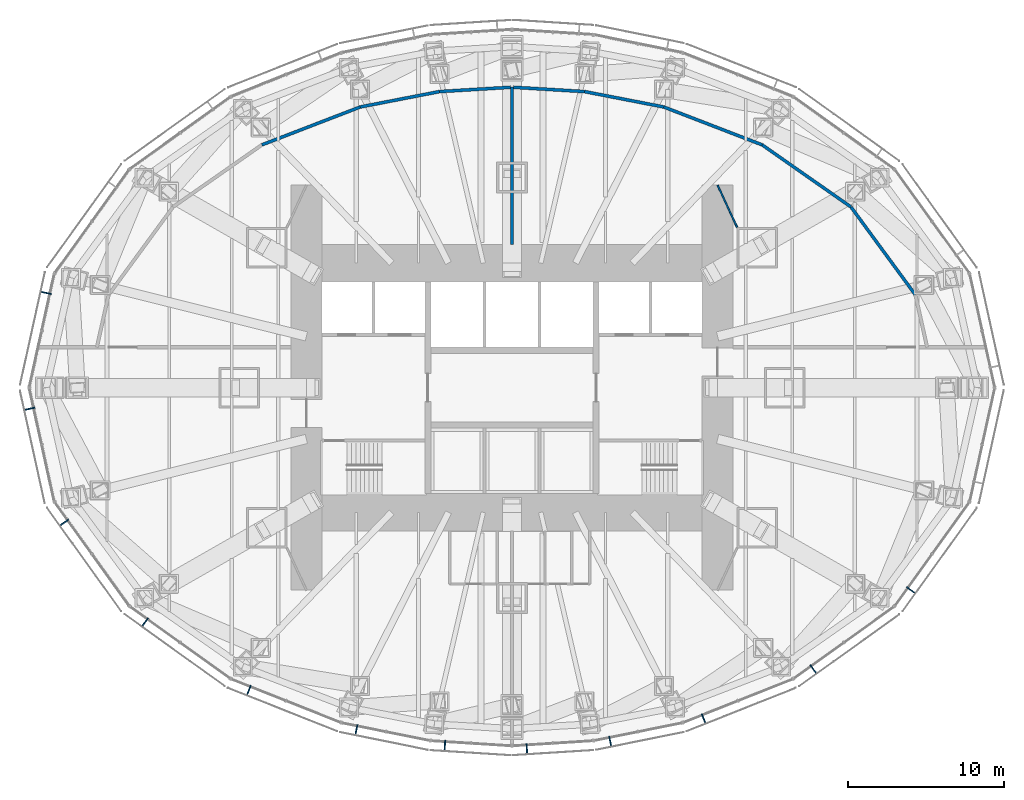
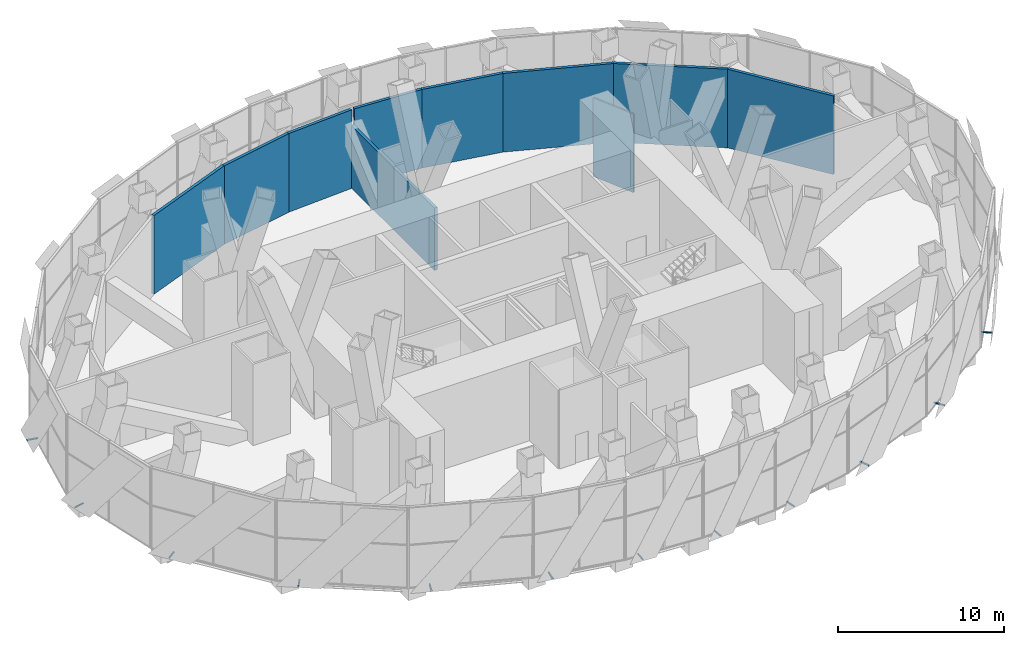
# One storey, part 16 of 21: 12 discrete accessories, 10 walls.
"""IFC4 building model written with IfcOpenShell, lengths in metres."""

from ifc_helpers import new_model, si_unit, direction, frame, frame_2d, origin, origin_2d, place, context, subcontext, project, spatial, rectangle, extrude, material, layer, layer_set, type_object, element, save


model = new_model("IFC4")

# Units and contexts
model_context = context("Model", 3, precision=1e-05, world=origin(), true_north=direction((0.0, 1.0)))
body_context = subcontext(model_context, "Body", "Model", "MODEL_VIEW")
ifc_project = project(units=[si_unit("LENGTHUNIT", "METRE"), si_unit("AREAUNIT", "SQUARE_METRE"), si_unit("VOLUMEUNIT", "CUBIC_METRE"), si_unit("PLANEANGLEUNIT", "RADIAN"), si_unit("MASSUNIT", "GRAM", prefix="KILO")], contexts=[model_context])

# Site, building, storey
site_placement = place(None, origin())
site = spatial("IfcSite", under=ifc_project, at=site_placement, CompositionType="ELEMENT")
building_placement = place(site_placement, origin())
building = spatial("IfcBuilding", under=site, at=building_placement, Name="Lantaw Convention Tower", CompositionType="ELEMENT")
storey_placement = place(building_placement, frame((0.0, 0.0, 105.39990234375)))
storey = spatial("IfcBuildingStorey", under=building, at=storey_placement, Name="L25", CompositionType="ELEMENT", Elevation=105.39990234375)

# Walls
ifc_material_1 = material(Name="Concrete blockwork, fire rated", Category="masonry")
ifc_layer_1 = layer(ifc_material_1, 0.199951171875)
ifc_layer_set_1 = layer_set([ifc_layer_1], Name="Fire wall 200 EI 120")
wall_type_1 = type_object("IfcWallType", Name="Fire wall 200 EI 120", PredefinedType="SOLIDWALL", material=ifc_layer_set_1)
wall_1_placement = place(storey_placement, frame((0.0, 9.199951171875, 0.0), z_axis=(0.0, 0.0, 1.0), x_axis=(0.0, 1.0, 0.0)))
element("IfcWall", 1, at=wall_1_placement, inside=storey, type_object=wall_type_1, Name="Fire wall 200", PredefinedType="SOLIDWALL", context=body_context, shape_type="SweptSolid", body=[
    extrude(rectangle(XDim=10.09375, YDim=0.199951171875, at=frame_2d((5.046875, 0.0))), origin(), (0.0, 0.0, 1.0), 4.60009765625),
])
ifc_material_2 = material(Name="Gypsum board on steel studs, acoustic", Category="steel")
ifc_layer_2 = layer(ifc_material_2, 0.10009765625)
ifc_layer_set_2 = layer_set([ifc_layer_2], Name="Office partition 100")
wall_type_2 = type_object("IfcWallType", Name="Office partition 100", PredefinedType="PARTITIONING", material=ifc_layer_set_2)
wall_2_placement = place(storey_placement, frame((13.199951171875, 13.0, 0.0), z_axis=(0.0, 0.0, 1.0), x_axis=(0.420129824888, -0.907464010437, 0.0)))
element("IfcWall", 2, at=wall_2_placement, inside=storey, type_object=wall_type_2, Name="Office partition 100", PredefinedType="PARTITIONING", context=body_context, shape_type="SweptSolid", body=[
    extrude(rectangle(XDim=2.975341796875, YDim=0.10009765625, at=frame_2d((1.48779296875, 0.0))), origin(), (0.0, 0.0, 1.0), 5.800048828125),
])
ifc_layer_3 = layer(ifc_material_1, 0.199951171875)
ifc_layer_set_3 = layer_set([ifc_layer_3], Name="Plant room wall 200 EI 120")
wall_type_3 = type_object("IfcWallType", Name="Plant room wall 200 EI 120", PredefinedType="SOLIDWALL", material=ifc_layer_set_3)
wall_3_placement = place(storey_placement, frame((-16.06005859375, 15.591064453125, 0.0), z_axis=(0.0, 0.0, 1.0), x_axis=(0.933206127204, 0.359341514648, 0.0)))
element("IfcWall", 3, at=wall_3_placement, inside=storey, type_object=wall_type_3, Name="Plant room wall 200", PredefinedType="SOLIDWALL", context=body_context, shape_type="SweptSolid", body=[
    extrude(rectangle(XDim=6.770263671875, YDim=0.199951171875, at=frame_2d((3.38525390625, 0.0))), origin(), (0.0, 0.0, 1.0), 5.800048828125),
])
wall_4_placement = place(storey_placement, frame((-9.741943359375, 18.02392578125, 0.0), z_axis=(0.0, 0.0, 1.0), x_axis=(0.981651682281, 0.190682916578, 0.0)))
element("IfcWall", 4, at=wall_4_placement, inside=storey, type_object=wall_type_3, Name="Plant room wall 200", PredefinedType="SOLIDWALL", context=body_context, shape_type="SweptSolid", body=[
    extrude(rectangle(XDim=5.178955078125, YDim=0.199951171875, at=frame_2d((2.58935546875, 0.0))), origin(), (0.0, 0.0, 1.0), 5.800048828125),
])
for number, where, z_axis, x_axis, name in (
    (5, (-4.657958984375, 19.011474609375, 0.0), (0.0, 0.0, 1.0), (0.998169963859, 0.060470846276, 0.0), "Plant room wall 200"),
    (6, (0.10009765625, 19.28759765625, 0.0), (0.0, 0.0, 1.0), (0.998169963859, -0.060470846276, 0.0), "Plant room wall 200"),
):
    element("IfcWall", number, at=place(storey_placement, frame(where, z_axis=z_axis, x_axis=x_axis)), inside=storey, type_object=wall_type_3, Name=name, PredefinedType="SOLIDWALL", context=body_context, shape_type="SweptSolid", body=[
        extrude(rectangle(XDim=4.566162109375, YDim=0.199951171875, at=frame_2d((2.283203125, 0.0))), origin(), (0.0, 0.0, 1.0), 5.800048828125),
    ])
wall_5_placement = place(storey_placement, frame((4.657958984375, 19.011474609375, 0.0), z_axis=(0.0, 0.0, 1.0), x_axis=(0.981651682281, -0.190682916578, 0.0)))
element("IfcWall", 7, at=wall_5_placement, inside=storey, type_object=wall_type_3, Name="Plant room wall 200", PredefinedType="SOLIDWALL", context=body_context, shape_type="SweptSolid", body=[
    extrude(rectangle(XDim=5.178955078125, YDim=0.199951171875, at=frame_2d((2.58935546875, 0.0))), origin(), (0.0, 0.0, 1.0), 5.800048828125),
])
wall_6_placement = place(storey_placement, frame((9.741943359375, 18.02392578125, 0.0), z_axis=(0.0, 0.0, 1.0), x_axis=(0.933206127204, -0.359341514648, 0.0)))
element("IfcWall", 8, at=wall_6_placement, inside=storey, type_object=wall_type_3, Name="Plant room wall 200", PredefinedType="SOLIDWALL", context=body_context, shape_type="SweptSolid", body=[
    extrude(rectangle(XDim=6.770263671875, YDim=0.199951171875, at=frame_2d((3.38525390625, 0.0))), origin(), (0.0, 0.0, 1.0), 5.800048828125),
])
wall_7_placement = place(storey_placement, frame((16.06005859375, 15.591064453125, 0.0), z_axis=(0.0, 0.0, 1.0), x_axis=(0.819469251484, -0.573123150704, 0.0)))
element("IfcWall", 9, at=wall_7_placement, inside=storey, type_object=wall_type_3, Name="Plant room wall 200", PredefinedType="SOLIDWALL", context=body_context, shape_type="SweptSolid", body=[
    extrude(rectangle(XDim=6.95703125, YDim=0.199951171875, at=frame_2d((3.478515625, 0.0))), origin(), (0.0, 0.0, 1.0), 5.800048828125),
])
wall_8_placement = place(storey_placement, frame((21.76123046875, 11.603759765625, 0.0), z_axis=(0.0, 0.0, 1.0), x_axis=(0.591227519906, -0.806504816915, 0.0)))
element("IfcWall", 10, at=wall_8_placement, inside=storey, type_object=wall_type_3, Name="Plant room wall 200", PredefinedType="SOLIDWALL", context=body_context, shape_type="SweptSolid", body=[
    extrude(rectangle(XDim=6.997314453125, YDim=0.199951171875, at=frame_2d((3.49853515625, 0.0))), origin(), (0.0, 0.0, 1.0), 5.800048828125),
])

# Discrete accessories
for number, where, z_axis, x_axis, name in (
    (11, (-29.92333984375, 6.087890625, -0.139892578125), (0.0, 0.0, 1.0), (-0.215246056391, -0.976559847223, 0.0), "Screen bracket"),
    (12, (-30.967529296875, -1.35009765625, -0.139892578125), (0.0, 0.0, 1.0), (0.215246056391, -0.976559847223, 0.0), "Screen bracket"),
    (13, (-28.745849609375, -8.65869140625, -0.139892578125), (0.0, 0.0, 1.0), (0.583951250436, -0.811788726895, 0.0), "Screen bracket"),
    (14, (-23.564453125, -15.06640625, -0.139892578125), (0.0, 0.0, 1.0), (0.812803733199, -0.5825376308, 0.0), "Screen bracket"),
    (15, (-16.898193359375, -19.4345703125, -0.139892578125), (0.0, 0.0, 1.0), (0.929361152748, -0.369171840425, 0.0), "Screen bracket"),
    (16, (-9.990478515625, -21.974365234375, -0.139892578125), (0.0, 0.0, 1.0), (0.980244604501, -0.197789067813, 0.0), "Screen bracket"),
    (17, (-4.310302734375, -22.987548828125, -0.139892578125), (0.0, 0.0, 1.0), (0.998016153807, -0.062958373078, 0.0), "Screen bracket"),
    (18, (0.9560546875, -23.19921875, -0.139892578125), (0.0, 0.0, 1.0), (0.998016153807, 0.062958373078, 0.0), "Screen bracket"),
    (19, (6.307861328125, -22.71728515625, -0.139892578125), (0.0, 0.0, 1.0), (0.980244604501, 0.197789067813, 0.0), "Screen bracket"),
    (20, (12.309814453125, -21.25732421875, -0.139892578125), (0.0, 0.0, 1.0), (0.929361152748, 0.369171840425, 0.0), "Screen bracket"),
    (21, (19.352294921875, -18.085205078125, -0.139892578125), (0.0, 0.0, 1.0), (0.812803733199, 0.5825376308, 0.0), "Screen bracket"),
    (22, (25.61962890625, -13.004638671875, -0.139892578125), (0.0, 0.0, 1.0), (0.583951250436, 0.811788726895, 0.0), "Screen bracket"),
):
    element("IfcDiscreteAccessory", number, at=place(storey_placement, frame(where, z_axis=z_axis, x_axis=x_axis)), inside=storey, Name=name, PredefinedType="BRACKET", context=body_context, shape_type="SweptSolid", body=[
        extrude(rectangle(XDim=0.080078125, YDim=0.68798828125, at=origin_2d()), origin(), (0.0, 0.0, 1.0), 0.080078125),
    ])

save(model, "model.ifc")
